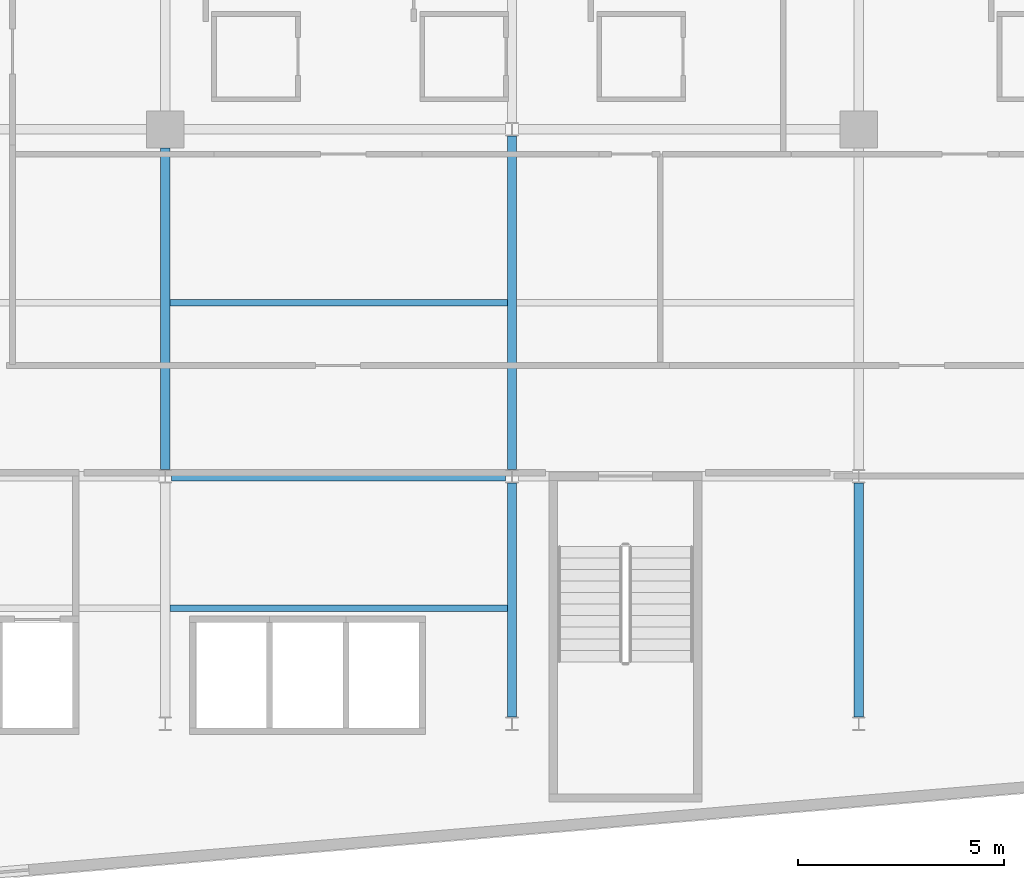
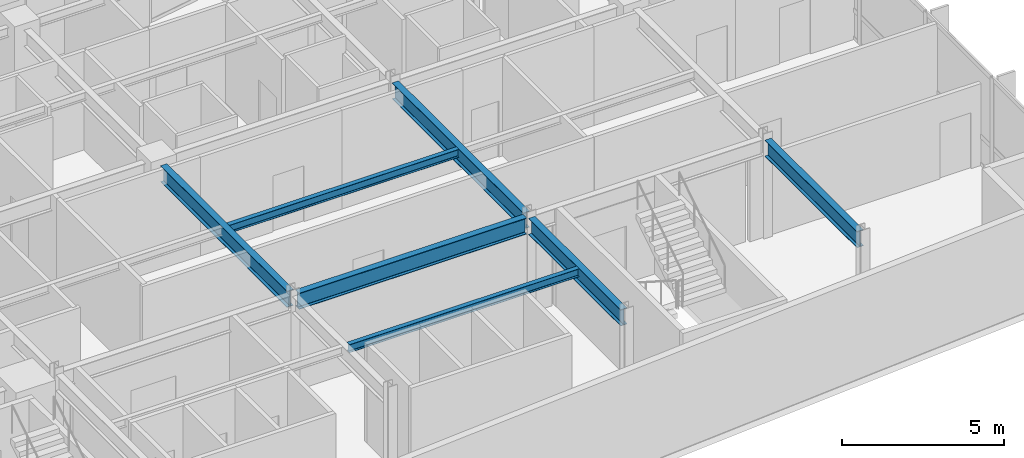
# One storey, part 4 of 22: 7 beams.
"""IFC4 building model written with IfcOpenShell, lengths in metres."""

from ifc_helpers import new_model, si_unit, direction, frame, origin, origin_2d, place, context, subcontext, project, spatial, i_section, extrude, material, material_profile, profile_set, type_object, element, save


model = new_model("IFC4")

# Units and contexts
model_context = context("Model", 3, precision=1e-05, world=origin(), true_north=direction((0.0, 1.0)))
body_context = subcontext(model_context, "Body", "Model", "MODEL_VIEW")
ifc_project = project(units=[si_unit("LENGTHUNIT", "METRE"), si_unit("AREAUNIT", "SQUARE_METRE"), si_unit("VOLUMEUNIT", "CUBIC_METRE"), si_unit("PLANEANGLEUNIT", "RADIAN"), si_unit("MASSUNIT", "GRAM", prefix="KILO")], contexts=[model_context])

# Site, building, storey
site_placement = place(None, origin())
site = spatial("IfcSite", under=ifc_project, at=site_placement, CompositionType="ELEMENT")
building_placement = place(site_placement, origin())
building = spatial("IfcBuilding", under=site, at=building_placement, Name="Varnakote Quay Hospital", CompositionType="ELEMENT")
storey_placement = place(building_placement, frame((0.0, 0.0, 62.0)))
storey = spatial("IfcBuildingStorey", under=building, at=storey_placement, Name="L15", CompositionType="ELEMENT", Elevation=62.0)

# Beams
ifc_material_1 = material(Name="Structural steel AS/NZS 3679.1 Grade 350 L0 (fy 340 MPa)", Category="steel")
ifc_material_profile_1 = material_profile(ifc_material_1, i_section(OverallWidth=0.22900390625, OverallDepth=0.612060546875, WebThickness=0.011962890625, FlangeThickness=0.01953125, FilletRadius=0.013916015625, at=origin_2d()), Name="610UB125")
ifc_profile_set_1 = profile_set([ifc_material_profile_1], Name="Structural steel AS/NZS 3679.1 Grade 350 L0 (fy 340 MPa)")
beam_type_1 = type_object("IfcBeamType", Name="BM-STL-610UB125", PredefinedType="BEAM", material=ifc_profile_set_1)
beam_1_placement = place(storey_placement, frame((33.755615234375, 12.0, 3.404052734375), z_axis=(1.0, 0.0, 0.0), x_axis=(0.0, 1.0, 0.0)))
element("IfcBeam", 1, at=beam_1_placement, inside=storey, type_object=beam_type_1, Name="L15 Primary Floor Beam", PredefinedType="BEAM", context=body_context, shape_type="SweptSolid", body=[
    extrude(i_section(OverallWidth=0.22900390625, OverallDepth=0.612060546875, WebThickness=0.011962890625, FlangeThickness=0.01953125, FilletRadius=0.013916015625, at=origin_2d()), origin(), (0.0, 0.0, 1.0), 8.0888671875),
])
beam_2_placement = place(storey_placement, frame((33.60009765625, 12.16357421875, 3.404052734375), z_axis=(0.0, 1.0, 0.0), x_axis=(-1.0, 0.0, 0.0)))
element("IfcBeam", 2, at=beam_2_placement, inside=storey, type_object=beam_type_1, Name="L15 Primary Tie Beam", PredefinedType="BEAM", context=body_context, shape_type="SweptSolid", body=[
    extrude(i_section(OverallWidth=0.22900390625, OverallDepth=0.612060546875, WebThickness=0.011962890625, FlangeThickness=0.01953125, FilletRadius=0.013916015625, at=origin_2d()), origin(), (0.0, 0.0, 1.0), 7.786376953125),
])
beam_3_placement = place(storey_placement, frame((42.0, 6.16357421875, 3.404052734375), z_axis=(0.0, 1.0, 0.0), x_axis=(-1.0, 0.0, 0.0)))
element("IfcBeam", 3, at=beam_3_placement, inside=storey, type_object=beam_type_1, Name="L15 Primary Tie Beam", PredefinedType="BEAM", context=body_context, shape_type="SweptSolid", body=[
    extrude(i_section(OverallWidth=0.22900390625, OverallDepth=0.612060546875, WebThickness=0.011962890625, FlangeThickness=0.01953125, FilletRadius=0.013916015625, at=origin_2d()), origin(), (0.0, 0.0, 1.0), 5.6728515625),
])
beam_4_placement = place(storey_placement, frame((42.0, 12.16357421875, 3.404052734375), z_axis=(0.0, 1.0, 0.0), x_axis=(-1.0, 0.0, 0.0)))
element("IfcBeam", 4, at=beam_4_placement, inside=storey, type_object=beam_type_1, Name="L15 Primary Tie Beam", PredefinedType="BEAM", context=body_context, shape_type="SweptSolid", body=[
    extrude(i_section(OverallWidth=0.22900390625, OverallDepth=0.612060546875, WebThickness=0.011962890625, FlangeThickness=0.01953125, FilletRadius=0.013916015625, at=origin_2d()), origin(), (0.0, 0.0, 1.0), 8.072998046875),
])
beam_5_placement = place(storey_placement, frame((50.39990234375, 6.16357421875, 3.404052734375), z_axis=(0.0, 1.0, 0.0), x_axis=(-1.0, 0.0, 0.0)))
element("IfcBeam", 5, at=beam_5_placement, inside=storey, type_object=beam_type_1, Name="L15 Primary Tie Beam", PredefinedType="BEAM", context=body_context, shape_type="SweptSolid", body=[
    extrude(i_section(OverallWidth=0.22900390625, OverallDepth=0.612060546875, WebThickness=0.011962890625, FlangeThickness=0.01953125, FilletRadius=0.013916015625, at=origin_2d()), origin(), (0.0, 0.0, 1.0), 5.6728515625),
])
ifc_material_2 = material(Name="Structural steel AS/NZS 3679.1 Grade 350 L0 (fy 340 MPa)", Category="steel")
ifc_material_profile_2 = material_profile(ifc_material_2, i_section(OverallWidth=0.1650390625, OverallDepth=0.303955078125, WebThickness=0.006103515625, FlangeThickness=0.01025390625, FilletRadius=0.011474609375, at=origin_2d()), Name="310UB40.4")
ifc_profile_set_2 = profile_set([ifc_material_profile_2], Name="Structural steel AS/NZS 3679.1 Grade 350 L0 (fy 340 MPa)")
beam_type_2 = type_object("IfcBeamType", Name="JST-STL-310UB40-4", PredefinedType="JOIST", material=ifc_profile_set_2)
for number, where, z_axis, x_axis, name in (
    (6, (33.714599609375, 8.800048828125, 3.55810546875), (1.0, 0.0, 0.0), (0.0, 1.0, 0.0), "L15 Composite Floor Joist"),
    (7, (33.714599609375, 16.199951171875, 3.55810546875), (1.0, 0.0, 0.0), (0.0, 1.0, 0.0), "L15 Composite Floor Joist"),
):
    element("IfcBeam", number, at=place(storey_placement, frame(where, z_axis=z_axis, x_axis=x_axis)), inside=storey, type_object=beam_type_2, Name=name, PredefinedType="JOIST", context=body_context, shape_type="SweptSolid", body=[
        extrude(i_section(OverallWidth=0.1650390625, OverallDepth=0.303955078125, WebThickness=0.006103515625, FlangeThickness=0.01025390625, FilletRadius=0.011474609375, at=origin_2d()), origin(), (0.0, 0.0, 1.0), 8.1708984375),
    ])

save(model, "model.ifc")
